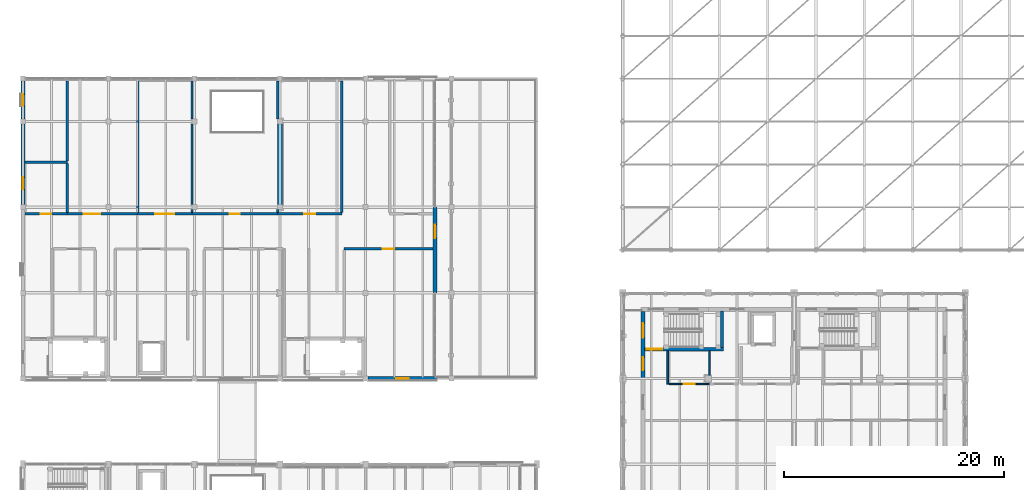
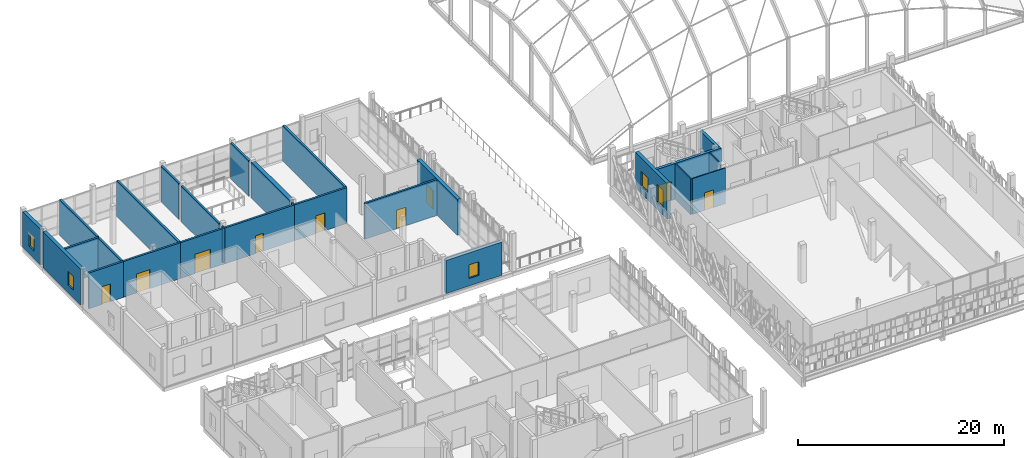
# One storey, part 94 of 119: 27 walls, 9 doors, 5 windows, 14 openings.
"""IFC4 building model written with IfcOpenShell, lengths in metres."""

from ifc_helpers import new_model, si_unit, direction, frame, frame_2d, origin, place, context, subcontext, project, spatial, rectangle, extrude, material, layer, layer_set, type_object, element, fill, save


model = new_model("IFC4")

# Units and contexts
model_context = context("Model", 3, precision=1e-05, world=origin(), true_north=direction((0.0, 1.0)))
body_context = subcontext(model_context, "Body", "Model", "MODEL_VIEW")
ifc_project = project(units=[si_unit("LENGTHUNIT", "METRE"), si_unit("AREAUNIT", "SQUARE_METRE"), si_unit("VOLUMEUNIT", "CUBIC_METRE"), si_unit("PLANEANGLEUNIT", "RADIAN"), si_unit("MASSUNIT", "GRAM", prefix="KILO")], contexts=[model_context])

# Site, building, storey
site_placement = place(None, origin())
site = spatial("IfcSite", under=ifc_project, at=site_placement, CompositionType="ELEMENT")
building_placement = place(site_placement, origin())
building = spatial("IfcBuilding", under=site, at=building_placement, Name="Celorna Specialist Clinic", CompositionType="ELEMENT")
storey_placement = place(building_placement, frame((0.0, 0.0, 9.60009765625)))
storey = spatial("IfcBuildingStorey", under=building, at=storey_placement, Name="L02", CompositionType="ELEMENT", Elevation=9.60009765625)

# Wall
ifc_material_1 = material(Name="Concrete C40/50", Category="concrete")
ifc_layer_1 = layer(ifc_material_1, 0.449951171875, Name="Concrete C40/50")
ifc_layer_set_1 = layer_set([ifc_layer_1], Name="Concrete C40/50")
wall_type_1 = type_object("IfcWallType", Name="WT-04", PredefinedType="SHEAR", material=ifc_layer_set_1)
wall_1_placement = place(storey_placement, frame((23.39990234375, 50.85009765625, 0.0), z_axis=(0.0, 0.0, 1.0), x_axis=(0.0, 1.0, 0.0)))
element("IfcWall", 1, at=wall_1_placement, inside=storey, type_object=wall_type_1, Name="Structural RC shear wall WT-04 V2 L02", PredefinedType="SHEAR", context=body_context, shape_type="SweptSolid", body=[
    extrude(rectangle(XDim=7.5, YDim=0.449951171875, at=frame_2d((3.75, 0.0))), origin(), (0.0, 0.0, 1.0), 4.239990234375),
])

# Wall, opening, window
ifc_material_2 = material(Name="Terracotta masonry with insulated cavity", Category="masonry")
ifc_layer_2 = layer(ifc_material_2, 0.3798828125, Name="Terracotta masonry with insulated cavity")
ifc_layer_set_2 = layer_set([ifc_layer_2], Name="Terracotta masonry with insulated cavity")
wall_type_2 = type_object("IfcWallType", Name="WT-06", PredefinedType="STANDARD", material=ifc_layer_set_2)
wall_2_placement = place(storey_placement, frame((37.68994140625, 35.10009765625, 0.0), z_axis=(0.0, 0.0, 1.0), x_axis=(-1.0, 0.0, 0.0)))
wall_2 = element("IfcWall", 2, at=wall_2_placement, inside=storey, type_object=wall_type_2, Name="External facade wall WT-06 #134", PredefinedType="STANDARD", context=body_context, shape_type="SweptSolid", body=[
    extrude(rectangle(XDim=6.264892578125, YDim=0.3798828125, at=frame_2d((3.13232421875, 0.0))), origin(), (0.0, 0.0, 1.0), 3.9248046875),
])
opening_1_placement = place(wall_2_placement, frame((2.58251953125, 0.0, 0.89990234375)))
opening_1 = element("IfcOpeningElement", 3, at=opening_1_placement, cuts=wall_2, Name="Opening WN-03", PredefinedType="OPENING", context=body_context, shape_type="SweptSolid", body=[
    extrude(rectangle(XDim=1.10009765625, YDim=1.60009765625, at=frame_2d((0.550048828125, 0.800048828125))), frame((0.0, 0.199951171875, 0.0), z_axis=(0.0, -1.0, 0.0), x_axis=(1.0, 0.0, 0.0)), (0.0, 0.0, 1.0), 0.39990234375),
])
ifc_material_3 = material(Name="Thermally broken aluminium triple-glazed window", Category="aluminium")
window_type_1 = type_object("IfcWindowType", Name="WN-03", PartitioningType="SINGLE_PANEL", PredefinedType="WINDOW", material=ifc_material_3)
window_1_placement = place(opening_1_placement, origin())
window_1 = element("IfcWindow", 4, at=window_1_placement, inside=storey, type_object=window_type_1, Name="Facade window WN-03 #44", OverallHeight=1.60009765625, OverallWidth=1.10009765625, PartitioningType="SINGLE_PANEL", PredefinedType="WINDOW", context=body_context, shape_type="SweptSolid", body=[
    extrude(rectangle(XDim=1.10009765625, YDim=1.60009765625, at=frame_2d((0.550048828125, 0.800048828125))), frame((0.0, 0.030029296875, 0.0), z_axis=(0.0, -1.0, 0.0), x_axis=(1.0, 0.0, 0.0)), (0.0, 0.0, 1.0), 0.06005859375),
])
fill(opening_1, window_1)

wall_3_placement = place(storey_placement, frame((0.0, 50.925048828125, 0.0), z_axis=(0.0, 0.0, 1.0), x_axis=(0.0, 1.0, 0.0)))
wall_3 = element("IfcWall", 5, at=wall_3_placement, inside=storey, type_object=wall_type_2, Name="External facade wall WT-06 #138", PredefinedType="STANDARD", context=body_context, shape_type="SweptSolid", body=[
    extrude(rectangle(XDim=7.349853515625, YDim=0.3798828125, at=frame_2d((3.6748046875, 0.0))), origin(), (0.0, 0.0, 1.0), 4.239990234375),
])
opening_2_placement = place(wall_3_placement, frame((1.3974609375, 0.0, 0.89990234375)))
opening_2 = element("IfcOpeningElement", 6, at=opening_2_placement, cuts=wall_3, Name="Opening WN-03", PredefinedType="OPENING", context=body_context, shape_type="SweptSolid", body=[
    extrude(rectangle(XDim=1.10009765625, YDim=1.60009765625, at=frame_2d((0.550048828125, 0.800048828125))), frame((0.0, 0.199951171875, 0.0), z_axis=(0.0, -1.0, 0.0), x_axis=(1.0, 0.0, 0.0)), (0.0, 0.0, 1.0), 0.39990234375),
])
window_2_placement = place(opening_2_placement, origin())
window_2 = element("IfcWindow", 7, at=window_2_placement, inside=storey, type_object=window_type_1, Name="Facade window WN-03 #49", OverallHeight=1.60009765625, OverallWidth=1.10009765625, PartitioningType="SINGLE_PANEL", PredefinedType="WINDOW", context=body_context, shape_type="SweptSolid", body=[
    extrude(rectangle(XDim=1.10009765625, YDim=1.60009765625, at=frame_2d((0.550048828125, 0.800048828125))), frame((0.0, 0.030029296875, 0.0), z_axis=(0.0, -1.0, 0.0), x_axis=(1.0, 0.0, 0.0)), (0.0, 0.0, 1.0), 0.06005859375),
])
fill(opening_2, window_2)

wall_4_placement = place(storey_placement, frame((0.0, 58.72509765625, 0.0), z_axis=(0.0, 0.0, 1.0), x_axis=(0.0, 1.0, 0.0)))
wall_4 = element("IfcWall", 8, at=wall_4_placement, inside=storey, type_object=wall_type_2, Name="External facade wall WT-06 #139", PredefinedType="STANDARD", context=body_context, shape_type="SweptSolid", body=[
    extrude(rectangle(XDim=3.449951171875, YDim=0.3798828125, at=frame_2d((1.72509765625, 0.0))), origin(), (0.0, 0.0, 1.0), 4.239990234375),
])
opening_3_placement = place(wall_4_placement, frame((1.199951171875, 0.0, 0.89990234375)))
opening_3 = element("IfcOpeningElement", 9, at=opening_3_placement, cuts=wall_4, Name="Opening WN-21", PredefinedType="OPENING", context=body_context, shape_type="SweptSolid", body=[
    extrude(rectangle(XDim=1.050048828125, YDim=1.64990234375, at=frame_2d((0.52490234375, 0.824951171875))), frame((0.0, 0.199951171875, 0.0), z_axis=(0.0, -1.0, 0.0), x_axis=(1.0, 0.0, 0.0)), (0.0, 0.0, 1.0), 0.39990234375),
])
window_type_2 = type_object("IfcWindowType", Name="WN-21", PartitioningType="SINGLE_PANEL", PredefinedType="WINDOW", material=ifc_material_3)
window_3_placement = place(opening_3_placement, origin())
window_3 = element("IfcWindow", 10, at=window_3_placement, inside=storey, type_object=window_type_2, Name="Facade window WN-21 #50", OverallHeight=1.64990234375, OverallWidth=1.050048828125, PartitioningType="SINGLE_PANEL", PredefinedType="WINDOW", context=body_context, shape_type="SweptSolid", body=[
    extrude(rectangle(XDim=1.050048828125, YDim=1.64990234375, at=frame_2d((0.52490234375, 0.824951171875))), frame((0.0, 0.030029296875, 0.0), z_axis=(0.0, -1.0, 0.0), x_axis=(1.0, 0.0, 0.0)), (0.0, 0.0, 1.0), 0.06005859375),
])
fill(opening_3, window_3)

# Wall, opening, door
wall_5_placement = place(storey_placement, frame((37.5, 50.699951171875, 0.0), z_axis=(0.0, 0.0, 1.0), x_axis=(0.0, -1.0, 0.0)))
wall_5 = element("IfcWall", 11, at=wall_5_placement, inside=storey, type_object=wall_type_2, Name="External facade wall WT-06 #140", PredefinedType="STANDARD", context=body_context, shape_type="SweptSolid", body=[
    extrude(rectangle(XDim=7.800048828125, YDim=0.3798828125, at=frame_2d((3.89990234375, 0.0))), origin(), (0.0, 0.0, 1.0), 4.239990234375),
])
opening_4_placement = place(wall_5_placement, frame((1.574951171875, 0.0, 0.0)))
opening_4 = element("IfcOpeningElement", 12, at=opening_4_placement, cuts=wall_5, Name="Opening DR-13", PredefinedType="OPENING", context=body_context, shape_type="SweptSolid", body=[
    extrude(rectangle(XDim=1.25, YDim=2.199951171875, at=frame_2d((0.625, 1.10009765625))), frame((0.0, 0.199951171875, 0.0), z_axis=(0.0, -1.0, 0.0), x_axis=(1.0, 0.0, 0.0)), (0.0, 0.0, 1.0), 0.39990234375),
])
ifc_material_4 = material(Name="Thermally broken glazed terrace door")
door_type_1 = type_object("IfcDoorType", Name="DR-13", OperationType="NOTDEFINED", PredefinedType="DOOR", material=ifc_material_4)
door_1_placement = place(opening_4_placement, frame((1.25, 0.0, 0.0), z_axis=(0.0, 0.0, 1.0), x_axis=(-1.0, 0.0, 0.0)))
door_1 = element("IfcDoor", 13, at=door_1_placement, inside=storey, type_object=door_type_1, Name="Terrace access door TER-V2-L02", OperationType="SINGLE_SWING_RIGHT", OverallHeight=2.199951171875, OverallWidth=1.25, PredefinedType="DOOR", context=body_context, shape_type="SweptSolid", body=[
    extrude(rectangle(XDim=1.25, YDim=2.199951171875, at=frame_2d((0.625, 1.10009765625))), frame((0.0, 0.02490234375, 0.0), z_axis=(0.0, -1.0, 0.0), x_axis=(1.0, 0.0, 0.0)), (0.0, 0.0, 1.0), 0.050048828125),
])
fill(opening_4, door_1)

# Wall, openings, windows
wall_6_placement = place(storey_placement, frame((56.449951171875, 35.10009765625, 0.0), z_axis=(0.0, 0.0, 1.0), x_axis=(0.0, 1.0, 0.0)))
wall_6 = element("IfcWall", 14, at=wall_6_placement, inside=storey, type_object=wall_type_2, Name="External facade wall WT-06 #402", PredefinedType="STANDARD", context=body_context, shape_type="SweptSolid", body=[
    extrude(rectangle(XDim=6.10986328125, YDim=0.3798828125, at=frame_2d((3.054931640625, 0.0))), origin(), (0.0, 0.0, 1.0), 4.239990234375),
])
opening_5_placement = place(wall_6_placement, frame((0.7451171875, 0.0, 0.89990234375)))
opening_5 = element("IfcOpeningElement", 15, at=opening_5_placement, cuts=wall_6, Name="Opening WN-06", PredefinedType="OPENING", context=body_context, shape_type="SweptSolid", body=[
    extrude(rectangle(XDim=1.199951171875, YDim=2.10009765625, at=frame_2d((0.60009765625, 1.050048828125))), frame((0.0, 0.199951171875, 0.0), z_axis=(0.0, -1.0, 0.0), x_axis=(1.0, 0.0, 0.0)), (0.0, 0.0, 1.0), 0.39990234375),
])
opening_6_placement = place(wall_6_placement, frame((3.705078125, 0.0, 0.89990234375)))
opening_6 = element("IfcOpeningElement", 16, at=opening_6_placement, cuts=wall_6, Name="Opening WN-07", PredefinedType="OPENING", context=body_context, shape_type="SweptSolid", body=[
    extrude(rectangle(XDim=1.35009765625, YDim=1.75, at=frame_2d((0.675048828125, 0.875))), frame((0.0, 0.199951171875, 0.0), z_axis=(0.0, -1.0, 0.0), x_axis=(1.0, 0.0, 0.0)), (0.0, 0.0, 1.0), 0.39990234375),
])
window_type_3 = type_object("IfcWindowType", Name="WN-06", PartitioningType="SINGLE_PANEL", PredefinedType="WINDOW", material=ifc_material_3)
window_4_placement = place(opening_5_placement, origin())
window_4 = element("IfcWindow", 17, at=window_4_placement, inside=storey, type_object=window_type_3, Name="Facade window WN-06 #263", OverallHeight=2.10009765625, OverallWidth=1.199951171875, PartitioningType="SINGLE_PANEL", PredefinedType="WINDOW", context=body_context, shape_type="SweptSolid", body=[
    extrude(rectangle(XDim=1.199951171875, YDim=2.10009765625, at=frame_2d((0.60009765625, 1.050048828125))), frame((0.0, 0.030029296875, 0.0), z_axis=(0.0, -1.0, 0.0), x_axis=(1.0, 0.0, 0.0)), (0.0, 0.0, 1.0), 0.06005859375),
])
fill(opening_5, window_4)
window_type_4 = type_object("IfcWindowType", Name="WN-07", PartitioningType="SINGLE_PANEL", PredefinedType="WINDOW", material=ifc_material_3)
window_5_placement = place(opening_6_placement, origin())
window_5 = element("IfcWindow", 18, at=window_5_placement, inside=storey, type_object=window_type_4, Name="Facade window WN-07 #264", OverallHeight=1.75, OverallWidth=1.35009765625, PartitioningType="SINGLE_PANEL", PredefinedType="WINDOW", context=body_context, shape_type="SweptSolid", body=[
    extrude(rectangle(XDim=1.35009765625, YDim=1.75, at=frame_2d((0.675048828125, 0.875))), frame((0.0, 0.030029296875, 0.0), z_axis=(0.0, -1.0, 0.0), x_axis=(1.0, 0.0, 0.0)), (0.0, 0.0, 1.0), 0.06005859375),
])
fill(opening_6, window_5)

# Wall, opening, door
ifc_material_5 = material(Name="Concrete C35/45", Category="concrete")
ifc_layer_3 = layer(ifc_material_5, 0.300048828125, Name="Concrete C35/45")
ifc_layer_set_3 = layer_set([ifc_layer_3], Name="Concrete C35/45")
wall_type_3 = type_object("IfcWallType", Name="WT-08", PredefinedType="SHEAR", material=ifc_layer_set_3)
wall_7_placement = place(storey_placement, frame((56.60009765625, 37.77001953125, 0.0), z_axis=(0.0, 0.0, 1.0), x_axis=(1.0, 0.0, 0.0)))
wall_7 = element("IfcWall", 19, at=wall_7_placement, inside=storey, type_object=wall_type_3, Name="Stair ST-08 RC core wall L02 south", PredefinedType="SHEAR", context=body_context, shape_type="SweptSolid", body=[
    extrude(rectangle(XDim=7.199951171875, YDim=0.300048828125, at=frame_2d((3.60009765625, 0.0))), origin(), (0.0, 0.0, 1.0), 4.239990234375),
])
opening_7_placement = place(wall_7_placement, frame((0.199951171875, 0.0, 0.0)))
opening_7 = element("IfcOpeningElement", 20, at=opening_7_placement, cuts=wall_7, Name="Opening DR-10", PredefinedType="OPENING", context=body_context, shape_type="SweptSolid", body=[
    extrude(rectangle(XDim=1.39990234375, YDim=2.199951171875, at=frame_2d((0.699951171875, 1.10009765625))), frame((0.0, 0.159912109375, 0.0), z_axis=(0.0, -1.0, 0.0), x_axis=(1.0, 0.0, 0.0)), (0.0, 0.0, 1.0), 0.320068359375),
])
ifc_material_6 = material(Name="Protected exit stair fire door")
door_type_2 = type_object("IfcDoorType", Name="DR-10", OperationType="NOTDEFINED", PredefinedType="DOOR", material=ifc_material_6)
door_2_placement = place(opening_7_placement, origin())
door_2 = element("IfcDoor", 21, at=door_2_placement, inside=storey, type_object=door_type_2, Name="Protected exit stair door ST-08 L02", OperationType="SINGLE_SWING_LEFT", OverallHeight=2.199951171875, OverallWidth=1.39990234375, PredefinedType="DOOR", context=body_context, shape_type="SweptSolid", body=[
    extrude(rectangle(XDim=1.39990234375, YDim=2.199951171875, at=frame_2d((0.699951171875, 1.10009765625))), frame((0.0, 0.02490234375, 0.0), z_axis=(0.0, -1.0, 0.0), x_axis=(1.0, 0.0, 0.0)), (0.0, 0.0, 1.0), 0.050048828125),
])
fill(opening_7, door_2)

# Wall
wall_8_placement = place(storey_placement, frame((63.64990234375, 37.919921875, 0.0), z_axis=(0.0, 0.0, 1.0), x_axis=(0.0, 1.0, 0.0)))
element("IfcWall", 22, at=wall_8_placement, inside=storey, type_object=wall_type_3, Name="Stair ST-08 RC core wall L02 east", PredefinedType="SHEAR", context=body_context, shape_type="SweptSolid", body=[
    extrude(rectangle(XDim=3.330078125, YDim=0.300048828125, at=frame_2d((1.6650390625, 0.0))), origin(), (0.0, 0.0, 1.0), 4.239990234375),
])

# Wall, opening, door
ifc_material_7 = material(Name="Lead-lined gypsum and masonry partition", Category="masonry")
ifc_layer_4 = layer(ifc_material_7, 0.219970703125, Name="Lead-lined gypsum and masonry partition")
ifc_layer_set_4 = layer_set([ifc_layer_4], Name="Lead-lined gypsum and masonry partition")
wall_type_4 = type_object("IfcWallType", Name="WT-11", PredefinedType="PARTITIONING", material=ifc_layer_set_4)
wall_9_placement = place(storey_placement, frame((37.31005859375, 46.89990234375, 0.0), z_axis=(0.0, 0.0, 1.0), x_axis=(-1.0, 0.0, 0.0)))
wall_9 = element("IfcWall", 23, at=wall_9_placement, inside=storey, type_object=wall_type_4, Name="Interior partition WT-11 L02-015", PredefinedType="PARTITIONING", context=body_context, shape_type="SweptSolid", body=[
    extrude(rectangle(XDim=8.070068359375, YDim=0.219970703125, at=frame_2d((4.03515625, 0.0))), origin(), (0.0, 0.0, 1.0), 4.239990234375),
])
opening_8_placement = place(wall_9_placement, frame((3.4951171875, 0.0, 0.0)))
opening_8 = element("IfcOpeningElement", 24, at=opening_8_placement, cuts=wall_9, Name="Opening DR-21", PredefinedType="OPENING", context=body_context, shape_type="SweptSolid", body=[
    extrude(rectangle(XDim=1.080078125, YDim=2.199951171875, at=frame_2d((0.5400390625, 1.10009765625))), frame((0.0, 0.119873046875, 0.0), z_axis=(0.0, -1.0, 0.0), x_axis=(1.0, 0.0, 0.0)), (0.0, 0.0, 1.0), 0.239990234375),
])
ifc_material_8 = material(Name="Timber outpatient suite door", Category="wood")
door_type_3 = type_object("IfcDoorType", Name="DR-21", OperationType="NOTDEFINED", PredefinedType="DOOR", material=ifc_material_8)
door_3_placement = place(opening_8_placement, origin())
door_3 = element("IfcDoor", 25, at=door_3_placement, inside=storey, type_object=door_type_3, Name="Shielded Patient Uptake Bay door L02-015", OperationType="SINGLE_SWING_RIGHT", OverallHeight=2.199951171875, OverallWidth=1.080078125, PredefinedType="DOOR", context=body_context, shape_type="SweptSolid", body=[
    extrude(rectangle(XDim=1.080078125, YDim=2.199951171875, at=frame_2d((0.5400390625, 1.10009765625))), frame((0.0, 0.02490234375, 0.0), z_axis=(0.0, -1.0, 0.0), x_axis=(1.0, 0.0, 0.0)), (0.0, 0.0, 1.0), 0.050048828125),
])
fill(opening_8, door_3)

wall_10_placement = place(storey_placement, frame((0.18994140625, 50.10009765625, 0.0), z_axis=(0.0, 0.0, 1.0), x_axis=(1.0, 0.0, 0.0)))
wall_10 = element("IfcWall", 26, at=wall_10_placement, inside=storey, type_object=wall_type_4, Name="Interior partition WT-11 L02-016", PredefinedType="PARTITIONING", context=body_context, shape_type="SweptSolid", body=[
    extrude(rectangle(XDim=3.85009765625, YDim=0.219970703125, at=frame_2d((1.925048828125, 0.0))), origin(), (0.0, 0.0, 1.0), 4.239990234375),
])
opening_9_placement = place(wall_10_placement, frame((1.449951171875, 0.0, 0.0)))
opening_9 = element("IfcOpeningElement", 27, at=opening_9_placement, cuts=wall_10, Name="Opening DR-03", PredefinedType="OPENING", context=body_context, shape_type="SweptSolid", body=[
    extrude(rectangle(XDim=0.949951171875, YDim=2.10009765625, at=frame_2d((0.47509765625, 1.050048828125))), frame((0.0, 0.119873046875, 0.0), z_axis=(0.0, -1.0, 0.0), x_axis=(1.0, 0.0, 0.0)), (0.0, 0.0, 1.0), 0.239990234375),
])
ifc_material_9 = material(Name="Moisture-resistant accessible WC door")
door_type_4 = type_object("IfcDoorType", Name="DR-03", OperationType="NOTDEFINED", PredefinedType="DOOR", material=ifc_material_9)
door_4_placement = place(opening_9_placement, origin())
door_4 = element("IfcDoor", 28, at=door_4_placement, inside=storey, type_object=door_type_4, Name="Patient Radioactive Decay WC door L02-016", OperationType="SINGLE_SWING_LEFT", OverallHeight=2.10009765625, OverallWidth=0.949951171875, PredefinedType="DOOR", context=body_context, shape_type="SweptSolid", body=[
    extrude(rectangle(XDim=0.949951171875, YDim=2.10009765625, at=frame_2d((0.47509765625, 1.050048828125))), frame((0.0, 0.02490234375, 0.0), z_axis=(0.0, -1.0, 0.0), x_axis=(1.0, 0.0, 0.0)), (0.0, 0.0, 1.0), 0.050048828125),
])
fill(opening_9, door_4)

# Wall
wall_11_placement = place(storey_placement, frame((0.18994140625, 54.800048828125, 0.0), z_axis=(0.0, 0.0, 1.0), x_axis=(1.0, 0.0, 0.0)))
element("IfcWall", 29, at=wall_11_placement, inside=storey, type_object=wall_type_4, Name="Sanitary suite rear partition L02-016", PredefinedType="PARTITIONING", context=body_context, shape_type="SweptSolid", body=[
    extrude(rectangle(XDim=3.85009765625, YDim=0.219970703125, at=frame_2d((1.925048828125, 0.0))), origin(), (0.0, 0.0, 1.0), 4.239990234375),
])

# Wall, opening, door
wall_12_placement = place(storey_placement, frame((4.0400390625, 50.10009765625, 0.0), z_axis=(0.0, 0.0, 1.0), x_axis=(1.0, 0.0, 0.0)))
wall_12 = element("IfcWall", 30, at=wall_12_placement, inside=storey, type_object=wall_type_4, Name="Interior partition WT-11 L02-017", PredefinedType="PARTITIONING", context=body_context, shape_type="SweptSolid", body=[
    extrude(rectangle(XDim=6.39990234375, YDim=0.219970703125, at=frame_2d((3.199951171875, 0.0))), origin(), (0.0, 0.0, 1.0), 4.239990234375),
])
opening_10_placement = place(wall_12_placement, frame((1.5, 0.0, 0.0)))
opening_10 = element("IfcOpeningElement", 31, at=opening_10_placement, cuts=wall_12, Name="Opening DR-23", PredefinedType="OPENING", context=body_context, shape_type="SweptSolid", body=[
    extrude(rectangle(XDim=1.47998046875, YDim=2.25, at=frame_2d((0.739990234375, 1.125))), frame((0.0, 0.119873046875, 0.0), z_axis=(0.0, -1.0, 0.0), x_axis=(1.0, 0.0, 0.0)), (0.0, 0.0, 1.0), 0.239990234375),
])
ifc_material_10 = material(Name="Double leaf treatment room door")
door_type_5 = type_object("IfcDoorType", Name="DR-23", OperationType="DOUBLE_DOOR_SINGLE_SWING", PredefinedType="DOOR", material=ifc_material_10)
door_5_placement = place(opening_10_placement, origin())
door_5 = element("IfcDoor", 32, at=door_5_placement, inside=storey, type_object=door_type_5, Name="PET-CT Diagnostic Imaging Suite door L02-017", OperationType="DOUBLE_DOOR_SINGLE_SWING", OverallHeight=2.25, OverallWidth=1.47998046875, PredefinedType="DOOR", context=body_context, shape_type="SweptSolid", body=[
    extrude(rectangle(XDim=1.47998046875, YDim=2.25, at=frame_2d((0.739990234375, 1.125))), frame((0.0, 0.02490234375, 0.0), z_axis=(0.0, -1.0, 0.0), x_axis=(1.0, 0.0, 0.0)), (0.0, 0.0, 1.0), 0.050048828125),
])
fill(opening_10, door_5)

wall_13_placement = place(storey_placement, frame((10.43994140625, 50.10009765625, 0.0), z_axis=(0.0, 0.0, 1.0), x_axis=(1.0, 0.0, 0.0)))
wall_13 = element("IfcWall", 33, at=wall_13_placement, inside=storey, type_object=wall_type_4, Name="Interior partition WT-11 L02-018", PredefinedType="PARTITIONING", context=body_context, shape_type="SweptSolid", body=[
    extrude(rectangle(XDim=4.949951171875, YDim=0.219970703125, at=frame_2d((2.47509765625, 0.0))), origin(), (0.0, 0.0, 1.0), 4.239990234375),
])
opening_11_placement = place(wall_13_placement, frame((1.614990234375, 0.0, 0.0)))
opening_11 = element("IfcOpeningElement", 34, at=opening_11_placement, cuts=wall_13, Name="Opening DR-24", PredefinedType="OPENING", context=body_context, shape_type="SweptSolid", body=[
    extrude(rectangle(XDim=1.719970703125, YDim=2.300048828125, at=frame_2d((0.85986328125, 1.14990234375))), frame((0.0, 0.119873046875, 0.0), z_axis=(0.0, -1.0, 0.0), x_axis=(1.0, 0.0, 0.0)), (0.0, 0.0, 1.0), 0.239990234375),
])
ifc_material_11 = material(Name="Double leaf clinical waiting door")
door_type_6 = type_object("IfcDoorType", Name="DR-24", OperationType="DOUBLE_DOOR_SINGLE_SWING", PredefinedType="DOOR", material=ifc_material_11)
door_6_placement = place(opening_11_placement, origin())
door_6 = element("IfcDoor", 35, at=door_6_placement, inside=storey, type_object=door_type_6, Name="Nuclear Medicine Gamma Camera Suite door L02-018", OperationType="DOUBLE_DOOR_SINGLE_SWING", OverallHeight=2.300048828125, OverallWidth=1.719970703125, PredefinedType="DOOR", context=body_context, shape_type="SweptSolid", body=[
    extrude(rectangle(XDim=1.719970703125, YDim=2.300048828125, at=frame_2d((0.85986328125, 1.14990234375))), frame((0.0, 0.02490234375, 0.0), z_axis=(0.0, -1.0, 0.0), x_axis=(1.0, 0.0, 0.0)), (0.0, 0.0, 1.0), 0.050048828125),
])
fill(opening_11, door_6)

wall_14_placement = place(storey_placement, frame((15.389892578125, 50.10009765625, 0.0), z_axis=(0.0, 0.0, 1.0), x_axis=(1.0, 0.0, 0.0)))
wall_14 = element("IfcWall", 36, at=wall_14_placement, inside=storey, type_object=wall_type_4, Name="Interior partition WT-11 L02-019", PredefinedType="PARTITIONING", context=body_context, shape_type="SweptSolid", body=[
    extrude(rectangle(XDim=7.800048828125, YDim=0.219970703125, at=frame_2d((3.89990234375, 0.0))), origin(), (0.0, 0.0, 1.0), 4.239990234375),
])
opening_12_placement = place(wall_14_placement, frame((3.449951171875, 0.0, 0.0)))
opening_12 = element("IfcOpeningElement", 37, at=opening_12_placement, cuts=wall_14, Name="Opening DR-02", PredefinedType="OPENING", context=body_context, shape_type="SweptSolid", body=[
    extrude(rectangle(XDim=0.89990234375, YDim=2.10009765625, at=frame_2d((0.449951171875, 1.050048828125))), frame((0.0, 0.119873046875, 0.0), z_axis=(0.0, -1.0, 0.0), x_axis=(1.0, 0.0, 0.0)), (0.0, 0.0, 1.0), 0.239990234375),
])
ifc_material_12 = material(Name="Timber acoustic clinical door", Category="wood")
door_type_7 = type_object("IfcDoorType", Name="DR-02", OperationType="NOTDEFINED", PredefinedType="DOOR", material=ifc_material_12)
door_7_placement = place(opening_12_placement, origin())
door_7 = element("IfcDoor", 38, at=door_7_placement, inside=storey, type_object=door_type_7, Name="PET-CT Diagnostic Imaging Suite door L02-019", OperationType="SINGLE_SWING_RIGHT", OverallHeight=2.10009765625, OverallWidth=0.89990234375, PredefinedType="DOOR", context=body_context, shape_type="SweptSolid", body=[
    extrude(rectangle(XDim=0.89990234375, YDim=2.10009765625, at=frame_2d((0.449951171875, 1.050048828125))), frame((0.0, 0.02490234375, 0.0), z_axis=(0.0, -1.0, 0.0), x_axis=(1.0, 0.0, 0.0)), (0.0, 0.0, 1.0), 0.050048828125),
])
fill(opening_12, door_7)

wall_15_placement = place(storey_placement, frame((23.18994140625, 50.10009765625, 0.0), z_axis=(0.0, 0.0, 1.0), x_axis=(1.0, 0.0, 0.0)))
wall_15 = element("IfcWall", 39, at=wall_15_placement, inside=storey, type_object=wall_type_4, Name="Interior partition WT-11 L02-020", PredefinedType="PARTITIONING", context=body_context, shape_type="SweptSolid", body=[
    extrude(rectangle(XDim=5.85009765625, YDim=0.219970703125, at=frame_2d((2.925048828125, 0.0))), origin(), (0.0, 0.0, 1.0), 4.239990234375),
])
opening_13_placement = place(wall_15_placement, frame((2.425048828125, 0.0, 0.0)))
opening_13 = element("IfcOpeningElement", 40, at=opening_13_placement, cuts=wall_15, Name="Opening DR-04", PredefinedType="OPENING", context=body_context, shape_type="SweptSolid", body=[
    extrude(rectangle(XDim=1.0, YDim=2.10009765625, at=frame_2d((0.5, 1.050048828125))), frame((0.0, 0.119873046875, 0.0), z_axis=(0.0, -1.0, 0.0), x_axis=(1.0, 0.0, 0.0)), (0.0, 0.0, 1.0), 0.239990234375),
])
ifc_material_13 = material(Name="Timber consultation suite door", Category="wood")
door_type_8 = type_object("IfcDoorType", Name="DR-04", OperationType="NOTDEFINED", PredefinedType="DOOR", material=ifc_material_13)
door_8_placement = place(opening_13_placement, origin())
door_8 = element("IfcDoor", 41, at=door_8_placement, inside=storey, type_object=door_type_8, Name="Radiopharmacy Hot Laboratory door L02-020", OperationType="SINGLE_SWING_LEFT", OverallHeight=2.10009765625, OverallWidth=1.0, PredefinedType="DOOR", context=body_context, shape_type="SweptSolid", body=[
    extrude(rectangle(XDim=1.0, YDim=2.10009765625, at=frame_2d((0.5, 1.050048828125))), frame((0.0, 0.02490234375, 0.0), z_axis=(0.0, -1.0, 0.0), x_axis=(1.0, 0.0, 0.0)), (0.0, 0.0, 1.0), 0.050048828125),
])
fill(opening_13, door_8)

# Walls
wall_16_placement = place(storey_placement, frame((4.0400390625, 50.2099609375, 0.0), z_axis=(0.0, 0.0, 1.0), x_axis=(0.0, 1.0, 0.0)))
element("IfcWall", 42, at=wall_16_placement, inside=storey, type_object=wall_type_4, Name="Room dividing partition WT-11 L02-016", PredefinedType="PARTITIONING", context=body_context, shape_type="SweptSolid", body=[
    extrude(rectangle(XDim=4.47998046875, YDim=0.219970703125, at=frame_2d((2.239990234375, 0.0))), origin(), (0.0, 0.0, 1.0), 4.239990234375),
])
wall_17_placement = place(storey_placement, frame((4.0400390625, 54.909912109375, 0.0), z_axis=(0.0, 0.0, 1.0), x_axis=(0.0, 1.0, 0.0)))
element("IfcWall", 43, at=wall_17_placement, inside=storey, type_object=wall_type_4, Name="Room dividing partition WT-11 L02-017", PredefinedType="PARTITIONING", context=body_context, shape_type="SweptSolid", body=[
    extrude(rectangle(XDim=7.300048828125, YDim=0.219970703125, at=frame_2d((3.64990234375, 0.0))), origin(), (0.0, 0.0, 1.0), 4.239990234375),
])
wall_18_placement = place(storey_placement, frame((10.43994140625, 50.2099609375, 0.0), z_axis=(0.0, 0.0, 1.0), x_axis=(0.0, 1.0, 0.0)))
element("IfcWall", 44, at=wall_18_placement, inside=storey, type_object=wall_type_4, Name="Room dividing partition WT-11 L02-017", PredefinedType="PARTITIONING", context=body_context, shape_type="SweptSolid", body=[
    extrude(rectangle(XDim=12.0, YDim=0.219970703125, at=frame_2d((6.0, 0.0))), origin(), (0.0, 0.0, 1.0), 4.239990234375),
])
wall_19_placement = place(storey_placement, frame((15.389892578125, 50.2099609375, 0.0), z_axis=(0.0, 0.0, 1.0), x_axis=(0.0, 1.0, 0.0)))
element("IfcWall", 45, at=wall_19_placement, inside=storey, type_object=wall_type_4, Name="Room dividing partition WT-11 L02-018", PredefinedType="PARTITIONING", context=body_context, shape_type="SweptSolid", body=[
    extrude(rectangle(XDim=0.26513671875, YDim=0.219970703125, at=frame_2d((0.132568359375, 0.0))), origin(), (0.0, 0.0, 1.0), 4.239990234375),
])
wall_20_placement = place(storey_placement, frame((15.389892578125, 50.925048828125, 0.0), z_axis=(0.0, 0.0, 1.0), x_axis=(0.0, 1.0, 0.0)))
element("IfcWall", 46, at=wall_20_placement, inside=storey, type_object=wall_type_4, Name="Room dividing partition WT-11 L02-018", PredefinedType="PARTITIONING", context=body_context, shape_type="SweptSolid", body=[
    extrude(rectangle(XDim=7.349853515625, YDim=0.219970703125, at=frame_2d((3.6748046875, 0.0))), origin(), (0.0, 0.0, 1.0), 4.239990234375),
])
wall_21_placement = place(storey_placement, frame((15.389892578125, 58.72509765625, 0.0), z_axis=(0.0, 0.0, 1.0), x_axis=(0.0, 1.0, 0.0)))
element("IfcWall", 47, at=wall_21_placement, inside=storey, type_object=wall_type_4, Name="Room dividing partition WT-11 L02-018", PredefinedType="PARTITIONING", context=body_context, shape_type="SweptSolid", body=[
    extrude(rectangle(XDim=3.449951171875, YDim=0.219970703125, at=frame_2d((1.72509765625, 0.0))), origin(), (0.0, 0.0, 1.0), 4.239990234375),
])
wall_22_placement = place(storey_placement, frame((23.18994140625, 50.2099609375, 0.0), z_axis=(0.0, 0.0, 1.0), x_axis=(0.0, 1.0, 0.0)))
element("IfcWall", 48, at=wall_22_placement, inside=storey, type_object=wall_type_4, Name="Room dividing partition WT-11 L02-019", PredefinedType="PARTITIONING", context=body_context, shape_type="SweptSolid", body=[
    extrude(rectangle(XDim=0.26513671875, YDim=0.219970703125, at=frame_2d((0.132568359375, 0.0))), origin(), (0.0, 0.0, 1.0), 4.239990234375),
])
wall_23_placement = place(storey_placement, frame((23.18994140625, 58.72509765625, 0.0), z_axis=(0.0, 0.0, 1.0), x_axis=(0.0, 1.0, 0.0)))
element("IfcWall", 49, at=wall_23_placement, inside=storey, type_object=wall_type_4, Name="Room dividing partition WT-11 L02-019", PredefinedType="PARTITIONING", context=body_context, shape_type="SweptSolid", body=[
    extrude(rectangle(XDim=3.449951171875, YDim=0.219970703125, at=frame_2d((1.72509765625, 0.0))), origin(), (0.0, 0.0, 1.0), 4.239990234375),
])
wall_24_placement = place(storey_placement, frame((29.0400390625, 50.2099609375, 0.0), z_axis=(0.0, 0.0, 1.0), x_axis=(0.0, 1.0, 0.0)))
element("IfcWall", 50, at=wall_24_placement, inside=storey, type_object=wall_type_4, Name="Room dividing partition WT-11 L02-020", PredefinedType="PARTITIONING", context=body_context, shape_type="SweptSolid", body=[
    extrude(rectangle(XDim=12.0, YDim=0.219970703125, at=frame_2d((6.0, 0.0))), origin(), (0.0, 0.0, 1.0), 4.239990234375),
])
ifc_material_14 = material(Name="Fire-rated gypsum board partition")
ifc_layer_5 = layer(ifc_material_14, 0.14990234375, Name="Fire-rated gypsum board partition")
ifc_layer_set_5 = layer_set([ifc_layer_5], Name="Fire-rated gypsum board partition")
wall_type_5 = type_object("IfcWallType", Name="WT-14", PredefinedType="PARTITIONING", material=ifc_layer_set_5)
wall_25_placement = place(storey_placement, frame((58.699951171875, 34.60009765625, 0.0), z_axis=(0.0, 0.0, 1.0), x_axis=(0.0, 1.0, 0.0)))
element("IfcWall", 51, at=wall_25_placement, inside=storey, type_object=wall_type_5, Name="Corridor spur partition WT-14", PredefinedType="PARTITIONING", context=body_context, shape_type="SweptSolid", body=[
    extrude(rectangle(XDim=3.02001953125, YDim=0.14990234375, at=frame_2d((1.510009765625, 0.0))), origin(), (0.0, 0.0, 1.0), 4.239990234375),
])

# Wall, opening, door
ifc_material_15 = material(Name="Acoustic gypsum board partition")
ifc_layer_6 = layer(ifc_material_15, 0.1201171875, Name="Acoustic gypsum board partition")
ifc_layer_set_6 = layer_set([ifc_layer_6], Name="Acoustic gypsum board partition")
wall_type_6 = type_object("IfcWallType", Name="WT-15", PredefinedType="PARTITIONING", material=ifc_layer_set_6)
wall_26_placement = place(storey_placement, frame((58.820068359375, 34.60009765625, 0.0), z_axis=(0.0, 0.0, 1.0), x_axis=(1.0, 0.0, 0.0)))
wall_26 = element("IfcWall", 52, at=wall_26_placement, inside=storey, type_object=wall_type_6, Name="Interior partition WT-15 L02-068", PredefinedType="PARTITIONING", context=body_context, shape_type="SweptSolid", body=[
    extrude(rectangle(XDim=3.669921875, YDim=0.1201171875, at=frame_2d((1.8349609375, 0.0))), origin(), (0.0, 0.0, 1.0), 4.239990234375),
])
opening_14_placement = place(wall_26_placement, frame((1.3349609375, 0.0, 0.0)))
opening_14 = element("IfcOpeningElement", 53, at=opening_14_placement, cuts=wall_26, Name="Opening DR-04", PredefinedType="OPENING", context=body_context, shape_type="SweptSolid", body=[
    extrude(rectangle(XDim=1.0, YDim=2.10009765625, at=frame_2d((0.5, 1.050048828125))), frame((0.0, 0.070068359375, 0.0), z_axis=(0.0, -1.0, 0.0), x_axis=(1.0, 0.0, 0.0)), (0.0, 0.0, 1.0), 0.14013671875),
])
door_9_placement = place(opening_14_placement, origin())
door_9 = element("IfcDoor", 54, at=door_9_placement, inside=storey, type_object=door_type_8, Name="Audio-Visual Control Booth door L02-068", OperationType="SINGLE_SWING_LEFT", OverallHeight=2.10009765625, OverallWidth=1.0, PredefinedType="DOOR", context=body_context, shape_type="SweptSolid", body=[
    extrude(rectangle(XDim=1.0, YDim=2.10009765625, at=frame_2d((0.5, 1.050048828125))), frame((0.0, 0.02490234375, 0.0), z_axis=(0.0, -1.0, 0.0), x_axis=(1.0, 0.0, 0.0)), (0.0, 0.0, 1.0), 0.050048828125),
])
fill(opening_14, door_9)

# Wall
wall_27_placement = place(storey_placement, frame((62.489990234375, 35.39990234375, 0.0), z_axis=(0.0, 0.0, 1.0), x_axis=(0.0, 1.0, 0.0)))
element("IfcWall", 55, at=wall_27_placement, inside=storey, type_object=wall_type_6, Name="Room dividing partition WT-15 L02-068", PredefinedType="PARTITIONING", context=body_context, shape_type="SweptSolid", body=[
    extrude(rectangle(XDim=2.22021484375, YDim=0.1201171875, at=frame_2d((1.110107421875, 0.0))), origin(), (0.0, 0.0, 1.0), 4.239990234375),
])

save(model, "model.ifc")
